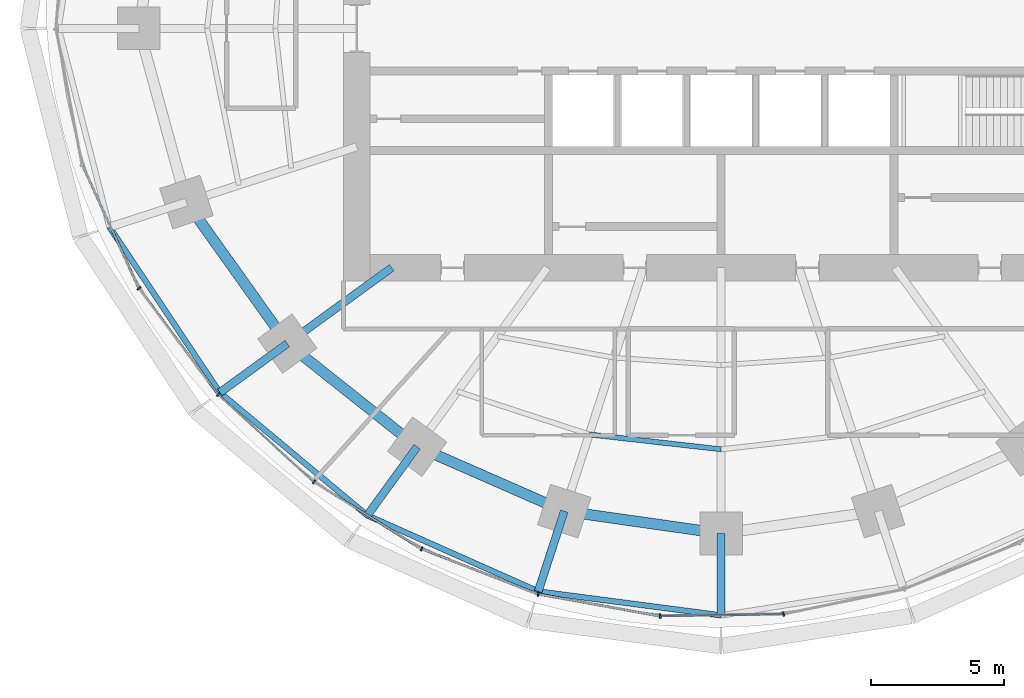
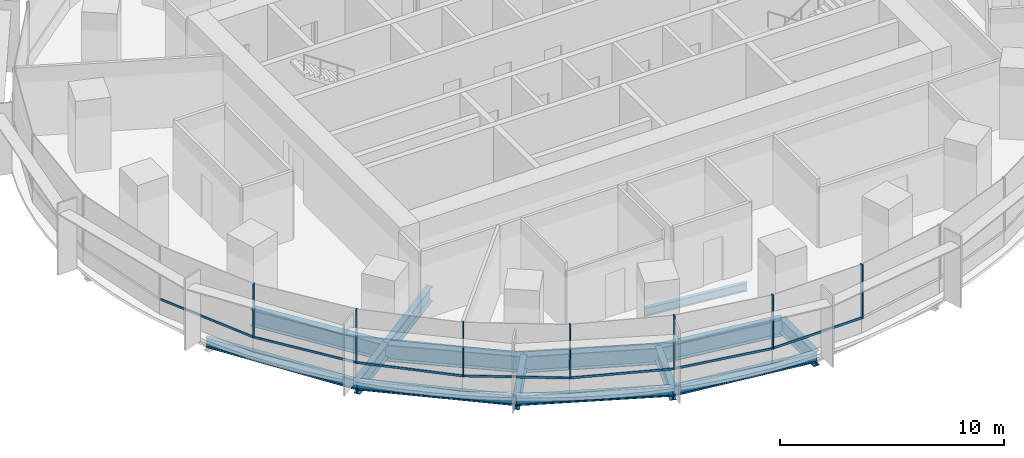
# One storey, part 2 of 14: 14 beams, 14 members, 2 elements without a shape of their own.
"""IFC4 building model written with IfcOpenShell, lengths in metres."""

from ifc_helpers import new_model, si_unit, direction, frame, origin, origin_2d, place, context, subcontext, project, spatial, rectangle, i_section, extrude, material, material_profile, profile_set, type_object, element, aggregate, save


model = new_model("IFC4")

# Units and contexts
model_context = context("Model", 3, precision=1e-05, world=origin(), true_north=direction((0.0, 1.0)))
body_context = subcontext(model_context, "Body", "Model", "MODEL_VIEW")
ifc_project = project(units=[si_unit("LENGTHUNIT", "METRE"), si_unit("AREAUNIT", "SQUARE_METRE"), si_unit("VOLUMEUNIT", "CUBIC_METRE"), si_unit("PLANEANGLEUNIT", "RADIAN"), si_unit("MASSUNIT", "GRAM", prefix="KILO")], contexts=[model_context])

# Site, building, storey
site_placement = place(None, origin())
site = spatial("IfcSite", under=ifc_project, at=site_placement, CompositionType="ELEMENT")
building_placement = place(site_placement, origin())
building = spatial("IfcBuilding", under=site, at=building_placement, Name="Marramba Exchange Tower", CompositionType="ELEMENT")
storey_placement = place(building_placement, frame((0.0, 0.0, 131.39990234375)))
storey = spatial("IfcBuildingStorey", under=building, at=storey_placement, Name="L31", CompositionType="ELEMENT", Elevation=131.39990234375)

# Beams
ifc_material_1 = material(Name="Steel AS/NZS 3679.2 grade 300", Category="steel")
ifc_material_profile_1 = material_profile(ifc_material_1, i_section(OverallWidth=0.300048828125, OverallDepth=0.800048828125, WebThickness=0.013916015625, FlangeThickness=0.031982421875, at=origin_2d()), Name="800WB192")
ifc_profile_set_1 = profile_set([ifc_material_profile_1], Name="Steel AS/NZS 3679.2 grade 300")
beam_type_1 = type_object("IfcBeamType", Name="Cantilever girder 800WB192", PredefinedType="BEAM", material=ifc_profile_set_1)
beam_1_placement = place(storey_placement, frame((-16.3154296875, -11.853759765625, -0.559814453125), z_axis=(-0.809025813822, -0.587773113173, 0.0), x_axis=(0.587773113173, -0.809025813822, 0.0)))
element("IfcBeam", 1, at=beam_1_placement, inside=storey, type_object=beam_type_1, Name="Cantilever girder L31 TC13", PredefinedType="BEAM", context=body_context, shape_type="SweptSolid", body=[
    extrude(i_section(OverallWidth=0.300048828125, OverallDepth=0.800048828125, WebThickness=0.013916015625, FlangeThickness=0.031982421875, at=origin_2d()), origin(), (0.0, 0.0, 1.0), 3.132568359375),
])
beam_2_placement = place(storey_placement, frame((-11.430419921875, -15.732666015625, -0.559814453125), z_axis=(-0.587767308424, -0.809030031054, 0.0), x_axis=(0.809030031054, -0.587767308424, 0.0)))
element("IfcBeam", 2, at=beam_2_placement, inside=storey, type_object=beam_type_1, Name="Cantilever girder L31 TC14", PredefinedType="BEAM", context=body_context, shape_type="SweptSolid", body=[
    extrude(i_section(OverallWidth=0.300048828125, OverallDepth=0.800048828125, WebThickness=0.013916015625, FlangeThickness=0.031982421875, at=origin_2d()), origin(), (0.0, 0.0, 1.0), 3.195556640625),
])
beam_3_placement = place(storey_placement, frame((-5.899658203125, -18.156982421875, -0.559814453125), z_axis=(-0.309018232614, -0.951056113966, 0.0), x_axis=(0.951056113966, -0.309018232614, 0.0)))
element("IfcBeam", 3, at=beam_3_placement, inside=storey, type_object=beam_type_1, Name="Cantilever girder L31 TC15", PredefinedType="BEAM", context=body_context, shape_type="SweptSolid", body=[
    extrude(i_section(OverallWidth=0.300048828125, OverallDepth=0.800048828125, WebThickness=0.013916015625, FlangeThickness=0.031982421875, at=origin_2d()), origin(), (0.0, 0.0, 1.0), 3.173583984375),
])
beam_4_placement = place(storey_placement, frame((0.0, -18.99609375, -0.559814453125), z_axis=(0.0, -1.0, 0.0), x_axis=(1.0, 0.0, 0.0)))
element("IfcBeam", 4, at=beam_4_placement, inside=storey, type_object=beam_type_1, Name="Cantilever girder L31 TC16", PredefinedType="BEAM", context=body_context, shape_type="SweptSolid", body=[
    extrude(i_section(OverallWidth=0.300048828125, OverallDepth=0.800048828125, WebThickness=0.013916015625, FlangeThickness=0.031982421875, at=origin_2d()), origin(), (0.0, 0.0, 1.0), 3.080810546875),
])
ifc_material_2 = material(Name="Steel AS/NZS 3679.1 grade 300", Category="steel")
ifc_material_profile_2 = material_profile(ifc_material_2, i_section(OverallWidth=0.18994140625, OverallDepth=0.4541015625, WebThickness=0.008544921875, FlangeThickness=0.0126953125, FilletRadius=0.011474609375, at=origin_2d()), Name="460UB67.1")
ifc_profile_set_2 = profile_set([ifc_material_profile_2], Name="Steel AS/NZS 3679.1 grade 300")
beam_type_2 = type_object("IfcBeamType", Name="Floor joist 460UB67.1", PredefinedType="JOIST", material=ifc_profile_set_2)
beam_5_placement = place(storey_placement, frame((-4.9619140625, -15.271484375, -0.386962890625), z_axis=(0.993712018573, -0.111966174106, 0.0), x_axis=(0.111966174106, 0.993712018573, 0.0)))
element("IfcBeam", 5, at=beam_5_placement, inside=storey, type_object=beam_type_2, Name="Joist L31 bay 15 row 2", PredefinedType="JOIST", context=body_context, shape_type="SweptSolid", body=[
    extrude(i_section(OverallWidth=0.18994140625, OverallDepth=0.4541015625, WebThickness=0.008544921875, FlangeThickness=0.0126953125, FilletRadius=0.011474609375, at=origin_2d()), origin(), (0.0, 0.0, 1.0), 4.993408203125),
])

# Curtain wall, members
ifc_material_3 = material(Name="Aluminium framing, bronze anodised", Category="aluminium")
curtain_wall_type = type_object("IfcCurtainWallType", Name="Office ribbon curtain wall", PredefinedType="USERDEFINED", material=ifc_material_3)
curtain_wall_1_placement = place(storey_placement, origin())
curtain_wall_1 = element("IfcCurtainWall", 6, at=curtain_wall_1_placement, inside=storey, type_object=curtain_wall_type, Name="Curtain wall CW4 L31 F16-F20", ObjectType="RIBBON CURTAIN WALL", PredefinedType="USERDEFINED")
ifc_material_4 = material(Name="Aluminium mullion, bronze anodised", Category="aluminium")
ifc_material_profile_3 = material_profile(ifc_material_4, rectangle(XDim=0.159912109375, YDim=0.06005859375, at=origin_2d()), Name="CW4 mullion 60x160")
ifc_profile_set_3 = profile_set([ifc_material_profile_3], Name="Aluminium mullion, bronze anodised")
member_type_1 = type_object("IfcMemberType", Name="Office ribbon curtain wall mullion", PredefinedType="MULLION", material=ifc_profile_set_3)
member_1_placement = place(storey_placement, frame((-21.891357421875, -9.778564453125, 0.800048828125), z_axis=(0.0, 0.0, 1.0), x_axis=(0.802014400683, 0.597304697033, 0.0)))
member_1 = element("IfcMember", 7, at=member_1_placement, type_object=member_type_1, Name="CW4 mullion 1", PredefinedType="MULLION", context=body_context, shape_type="SweptSolid", body=[
    extrude(rectangle(XDim=0.159912109375, YDim=0.06005859375, at=origin_2d()), origin(), (0.0, 0.0, 1.0), 2.93994140625),
])
member_2_placement = place(storey_placement, frame((-18.90869140625, -13.774169921875, 0.800048828125), z_axis=(0.0, 0.0, 1.0), x_axis=(0.674995455115, 0.737821886077, 0.0)))
member_2 = element("IfcMember", 8, at=member_2_placement, type_object=member_type_1, Name="CW4 mullion 1", PredefinedType="MULLION", context=body_context, shape_type="SweptSolid", body=[
    extrude(rectangle(XDim=0.159912109375, YDim=0.06005859375, at=origin_2d()), origin(), (0.0, 0.0, 1.0), 2.93994140625),
])
member_3_placement = place(storey_placement, frame((-15.315673828125, -17.053955078125, 0.800048828125), z_axis=(0.0, 0.0, 1.0), x_axis=(0.52942844364, 0.84835459748, 0.0)))
member_3 = element("IfcMember", 9, at=member_3_placement, type_object=member_type_1, Name="CW4 mullion 1", PredefinedType="MULLION", context=body_context, shape_type="SweptSolid", body=[
    extrude(rectangle(XDim=0.159912109375, YDim=0.06005859375, at=origin_2d()), origin(), (0.0, 0.0, 1.0), 2.93994140625),
])

curtain_wall_2_placement = place(storey_placement, origin())
curtain_wall_2 = element("IfcCurtainWall", 10, at=curtain_wall_2_placement, inside=storey, type_object=curtain_wall_type, Name="Curtain wall CW4 L31 F21-F25", ObjectType="RIBBON CURTAIN WALL", PredefinedType="USERDEFINED")
member_4_placement = place(storey_placement, frame((-11.266845703125, -19.573974609375, 0.800048828125), z_axis=(0.0, 0.0, 1.0), x_axis=(0.36292490603, 0.931818390344, 0.0)))
member_4 = element("IfcMember", 11, at=member_4_placement, type_object=member_type_1, Name="CW4 mullion 1", PredefinedType="MULLION", context=body_context, shape_type="SweptSolid", body=[
    extrude(rectangle(XDim=0.159912109375, YDim=0.06005859375, at=origin_2d()), origin(), (0.0, 0.0, 1.0), 2.93994140625),
])
member_5_placement = place(storey_placement, frame((-6.881591796875, -21.27587890625, 0.800048828125), z_axis=(0.0, 0.0, 1.0), x_axis=(0.177992379115, 0.984031865834, 0.0)))
member_5 = element("IfcMember", 12, at=member_5_placement, type_object=member_type_1, Name="CW4 mullion 1", PredefinedType="MULLION", context=body_context, shape_type="SweptSolid", body=[
    extrude(rectangle(XDim=0.159912109375, YDim=0.06005859375, at=origin_2d()), origin(), (0.0, 0.0, 1.0), 2.93994140625),
])
member_6_placement = place(storey_placement, frame((-2.292724609375, -22.099853515625, 0.800048828125), z_axis=(0.0, 0.0, 1.0), x_axis=(-0.015178646521, 0.999884797709, 0.0)))
member_6 = element("IfcMember", 13, at=member_6_placement, type_object=member_type_1, Name="CW4 mullion 1", PredefinedType="MULLION", context=body_context, shape_type="SweptSolid", body=[
    extrude(rectangle(XDim=0.159912109375, YDim=0.06005859375, at=origin_2d()), origin(), (0.0, 0.0, 1.0), 2.93994140625),
])
member_7_placement = place(storey_placement, frame((2.3447265625, -22.02392578125, 0.800048828125), z_axis=(0.0, 0.0, 1.0), x_axis=(-0.202364850159, 0.979310199794, 0.0)))
member_7 = element("IfcMember", 14, at=member_7_placement, type_object=member_type_1, Name="CW4 mullion 1", PredefinedType="MULLION", context=body_context, shape_type="SweptSolid", body=[
    extrude(rectangle(XDim=0.159912109375, YDim=0.06005859375, at=origin_2d()), origin(), (0.0, 0.0, 1.0), 2.93994140625),
])

# Member
ifc_material_5 = material(Name="Aluminium transom, bronze anodised", Category="aluminium")
ifc_material_profile_4 = material_profile(ifc_material_5, rectangle(XDim=0.06005859375, YDim=0.1201171875, at=origin_2d()), Name="CW4 transom 60x120")
ifc_profile_set_4 = profile_set([ifc_material_profile_4], Name="Aluminium transom, bronze anodised")
member_type_2 = type_object("IfcMemberType", Name="Office ribbon curtain wall transom", PredefinedType="USERDEFINED", material=ifc_profile_set_4)
member_8_placement = place(storey_placement, frame((-24.013671875, -5.1640625, 0.830078125), z_axis=(0.416732948599, -0.909028959688, 0.0), x_axis=(0.909028959688, 0.416732948599, 0.0)))
member_8 = element("IfcMember", 15, at=member_8_placement, type_object=member_type_2, Name="CW4 sill transom", ObjectType="TRANSOM", PredefinedType="USERDEFINED", context=body_context, shape_type="SweptSolid", body=[
    extrude(rectangle(XDim=0.06005859375, YDim=0.1201171875, at=origin_2d()), origin(), (0.0, 0.0, 1.0), 5.050048828125),
])

member_9_placement = place(storey_placement, frame((-21.873291015625, -9.802734375, 0.830078125), z_axis=(0.597300736643, -0.80201735019, 0.0), x_axis=(0.80201735019, 0.597300736643, 0.0)))
member_9 = element("IfcMember", 16, at=member_9_placement, type_object=member_type_2, Name="CW4 sill transom", ObjectType="TRANSOM", PredefinedType="USERDEFINED", context=body_context, shape_type="SweptSolid", body=[
    extrude(rectangle(XDim=0.06005859375, YDim=0.1201171875, at=origin_2d()), origin(), (0.0, 0.0, 1.0), 4.926513671875),
])

member_10_placement = place(storey_placement, frame((-18.886474609375, -13.79443359375, 0.830078125), z_axis=(0.737807565469, -0.675011108306, 0.0), x_axis=(0.675011108306, 0.737807565469, 0.0)))
member_10 = element("IfcMember", 17, at=member_10_placement, type_object=member_type_2, Name="CW4 sill transom", ObjectType="TRANSOM", PredefinedType="USERDEFINED", context=body_context, shape_type="SweptSolid", body=[
    extrude(rectangle(XDim=0.06005859375, YDim=0.1201171875, at=origin_2d()), origin(), (0.0, 0.0, 1.0), 4.805419921875),
])

member_11_placement = place(storey_placement, frame((-15.2900390625, -17.06982421875, 0.830078125), z_axis=(0.848373790728, -0.529397687193, 0.0), x_axis=(0.529397687193, 0.848373790728, 0.0)))
member_11 = element("IfcMember", 18, at=member_11_placement, type_object=member_type_2, Name="CW4 sill transom", ObjectType="TRANSOM", PredefinedType="USERDEFINED", context=body_context, shape_type="SweptSolid", body=[
    extrude(rectangle(XDim=0.06005859375, YDim=0.1201171875, at=origin_2d()), origin(), (0.0, 0.0, 1.0), 4.70947265625),
])

aggregate(curtain_wall_1, [member_8, member_1, member_9, member_2, member_10, member_3, member_11])

member_12_placement = place(storey_placement, frame((-11.23876953125, -19.5849609375, 0.830078125), z_axis=(0.931817106708, -0.362928201778, 0.0), x_axis=(0.362928201778, 0.931817106708, 0.0)))
member_12 = element("IfcMember", 19, at=member_12_placement, type_object=member_type_2, Name="CW4 sill transom", ObjectType="TRANSOM", PredefinedType="USERDEFINED", context=body_context, shape_type="SweptSolid", body=[
    extrude(rectangle(XDim=0.06005859375, YDim=0.1201171875, at=origin_2d()), origin(), (0.0, 0.0, 1.0), 4.644287109375),
])

member_13_placement = place(storey_placement, frame((-6.85205078125, -21.281005859375, 0.830078125), z_axis=(0.98402906811, -0.178007845654, 0.0), x_axis=(0.178007845654, 0.98402906811, 0.0)))
member_13 = element("IfcMember", 20, at=member_13_placement, type_object=member_type_2, Name="CW4 sill transom", ObjectType="TRANSOM", PredefinedType="USERDEFINED", context=body_context, shape_type="SweptSolid", body=[
    extrude(rectangle(XDim=0.06005859375, YDim=0.1201171875, at=origin_2d()), origin(), (0.0, 0.0, 1.0), 4.602783203125),
])

member_14_placement = place(storey_placement, frame((-2.262939453125, -22.099365234375, 0.830078125), z_axis=(0.999885345665, 0.015142507235, 0.0), x_axis=(-0.015142507235, 0.999885345665, 0.0)))
member_14 = element("IfcMember", 21, at=member_14_placement, type_object=member_type_2, Name="CW4 sill transom", ObjectType="TRANSOM", PredefinedType="USERDEFINED", context=body_context, shape_type="SweptSolid", body=[
    extrude(rectangle(XDim=0.06005859375, YDim=0.1201171875, at=origin_2d()), origin(), (0.0, 0.0, 1.0), 4.578857421875),
])

aggregate(curtain_wall_2, [member_4, member_12, member_5, member_13, member_6, member_14, member_7])

# Beams
ifc_material_profile_5 = material_profile(ifc_material_1, i_section(OverallWidth=0.300048828125, OverallDepth=0.800048828125, WebThickness=0.013916015625, FlangeThickness=0.031982421875, at=origin_2d()), Name="800WB192")
ifc_profile_set_5 = profile_set([ifc_material_profile_5], Name="Steel AS/NZS 3679.2 grade 300")
beam_type_3 = type_object("IfcBeamType", Name="Radial girder 800WB192", PredefinedType="BEAM", material=ifc_profile_set_5)
beam_6_placement = place(storey_placement, frame((-12.387451171875, -9.0, -0.559814453125), z_axis=(-0.809025189606, -0.58777397236, 0.0), x_axis=(0.58777397236, -0.809025189606, 0.0)))
element("IfcBeam", 22, at=beam_6_placement, inside=storey, type_object=beam_type_3, Name="Radial girder L31 TC13", PredefinedType="BEAM", context=body_context, shape_type="SweptSolid", body=[
    extrude(i_section(OverallWidth=0.300048828125, OverallDepth=0.800048828125, WebThickness=0.013916015625, FlangeThickness=0.031982421875, at=origin_2d()), origin(), (0.0, 0.0, 1.0), 4.855224609375),
])
ifc_material_profile_6 = material_profile(ifc_material_1, i_section(OverallWidth=0.39990234375, OverallDepth=0.89990234375, WebThickness=0.01611328125, FlangeThickness=0.031982421875, at=origin_2d()), Name="900WB282")
ifc_profile_set_6 = profile_set([ifc_material_profile_6], Name="Steel AS/NZS 3679.2 grade 300")
beam_type_4 = type_object("IfcBeamType", Name="Ring beam 900WB282", PredefinedType="SPANDREL", material=ifc_profile_set_6)
beam_7_placement = place(storey_placement, frame((-20.109375, -6.533935546875, -0.60986328125), z_axis=(0.580637181111, -0.814162430914, 0.0), x_axis=(0.814162430914, 0.580637181111, 0.0)))
element("IfcBeam", 23, at=beam_7_placement, inside=storey, type_object=beam_type_4, Name="Ring beam L31 TC12-TC13", PredefinedType="SPANDREL", context=body_context, shape_type="SweptSolid", body=[
    extrude(i_section(OverallWidth=0.39990234375, OverallDepth=0.89990234375, WebThickness=0.01611328125, FlangeThickness=0.031982421875, at=origin_2d()), origin(), (0.0, 0.0, 1.0), 6.5341796875),
])
beam_8_placement = place(storey_placement, frame((-16.3154296875, -11.853759765625, -0.60986328125), z_axis=(0.783139438128, -0.621846138887, 0.0), x_axis=(0.621846138887, 0.783139438128, 0.0)))
element("IfcBeam", 24, at=beam_8_placement, inside=storey, type_object=beam_type_4, Name="Ring beam L31 TC13-TC14", PredefinedType="SPANDREL", context=body_context, shape_type="SweptSolid", body=[
    extrude(i_section(OverallWidth=0.39990234375, OverallDepth=0.89990234375, WebThickness=0.01611328125, FlangeThickness=0.031982421875, at=origin_2d()), origin(), (0.0, 0.0, 1.0), 6.23779296875),
])
beam_9_placement = place(storey_placement, frame((-11.430419921875, -15.732666015625, -0.60986328125), z_axis=(0.915876892158, -0.4014592363, 0.0), x_axis=(0.4014592363, 0.915876892158, 0.0)))
element("IfcBeam", 25, at=beam_9_placement, inside=storey, type_object=beam_type_4, Name="Ring beam L31 TC14-TC15", PredefinedType="SPANDREL", context=body_context, shape_type="SweptSolid", body=[
    extrude(i_section(OverallWidth=0.39990234375, OverallDepth=0.89990234375, WebThickness=0.01611328125, FlangeThickness=0.031982421875, at=origin_2d()), origin(), (0.0, 0.0, 1.0), 6.038818359375),
])
beam_10_placement = place(storey_placement, frame((-5.899658203125, -18.156982421875, -0.60986328125), z_axis=(0.990036163016, -0.140813337152, 0.0), x_axis=(0.140813337152, 0.990036163016, 0.0)))
element("IfcBeam", 26, at=beam_10_placement, inside=storey, type_object=beam_type_4, Name="Ring beam L31 TC15-TC16", PredefinedType="SPANDREL", context=body_context, shape_type="SweptSolid", body=[
    extrude(i_section(OverallWidth=0.39990234375, OverallDepth=0.89990234375, WebThickness=0.01611328125, FlangeThickness=0.031982421875, at=origin_2d()), origin(), (0.0, 0.0, 1.0), 5.958984375),
])
ifc_material_profile_7 = material_profile(ifc_material_2, i_section(OverallWidth=0.208984375, OverallDepth=0.528076171875, WebThickness=0.009521484375, FlangeThickness=0.01318359375, FilletRadius=0.013916015625, at=origin_2d()), Name="530UB82.0")
ifc_profile_set_7 = profile_set([ifc_material_profile_7], Name="Steel AS/NZS 3679.1 grade 300")
beam_type_5 = type_object("IfcBeamType", Name="Slab edge beam 530UB82.0", PredefinedType="SPANDREL", material=ifc_profile_set_7)
beam_11_placement = place(storey_placement, frame((-23.00341796875, -7.47412109375, -0.423828125), z_axis=(0.555280023791, -0.831663450669, 0.0), x_axis=(0.831663450669, 0.555280023791, 0.0)))
element("IfcBeam", 27, at=beam_11_placement, inside=storey, type_object=beam_type_5, Name="Slab edge beam L31 TC12-TC13", PredefinedType="SPANDREL", context=body_context, shape_type="SweptSolid", body=[
    extrude(i_section(OverallWidth=0.208984375, OverallDepth=0.528076171875, WebThickness=0.009521484375, FlangeThickness=0.01318359375, FilletRadius=0.013916015625, at=origin_2d()), origin(), (0.0, 0.0, 1.0), 7.480224609375),
])
beam_12_placement = place(storey_placement, frame((-18.849853515625, -13.695068359375, -0.423828125), z_axis=(0.767874532322, -0.640600267415, 0.0), x_axis=(0.640600267415, 0.767874532322, 0.0)))
element("IfcBeam", 28, at=beam_12_placement, inside=storey, type_object=beam_type_5, Name="Slab edge beam L31 TC13-TC14", PredefinedType="SPANDREL", context=body_context, shape_type="SweptSolid", body=[
    extrude(i_section(OverallWidth=0.208984375, OverallDepth=0.528076171875, WebThickness=0.009521484375, FlangeThickness=0.01318359375, FilletRadius=0.013916015625, at=origin_2d()), origin(), (0.0, 0.0, 1.0), 7.21630859375),
])
beam_13_placement = place(storey_placement, frame((-13.30859375, -18.31787109375, -0.423828125), z_axis=(0.913788648873, -0.406189986571, 0.0), x_axis=(0.406189986571, 0.913788648873, 0.0)))
element("IfcBeam", 29, at=beam_13_placement, inside=storey, type_object=beam_type_5, Name="Slab edge beam L31 TC14-TC15", PredefinedType="SPANDREL", context=body_context, shape_type="SweptSolid", body=[
    extrude(i_section(OverallWidth=0.208984375, OverallDepth=0.528076171875, WebThickness=0.009521484375, FlangeThickness=0.01318359375, FilletRadius=0.013916015625, at=origin_2d()), origin(), (0.0, 0.0, 1.0), 7.03466796875),
])
beam_14_placement = place(storey_placement, frame((-6.88037109375, -21.17529296875, -0.423828125), z_axis=(0.991523133546, -0.129930272237, 0.0), x_axis=(0.129930272237, 0.991523133546, 0.0)))
element("IfcBeam", 30, at=beam_14_placement, inside=storey, type_object=beam_type_5, Name="Slab edge beam L31 TC15-TC16", PredefinedType="SPANDREL", context=body_context, shape_type="SweptSolid", body=[
    extrude(i_section(OverallWidth=0.208984375, OverallDepth=0.528076171875, WebThickness=0.009521484375, FlangeThickness=0.01318359375, FilletRadius=0.013916015625, at=origin_2d()), origin(), (0.0, 0.0, 1.0), 6.939208984375),
])

save(model, "model.ifc")
